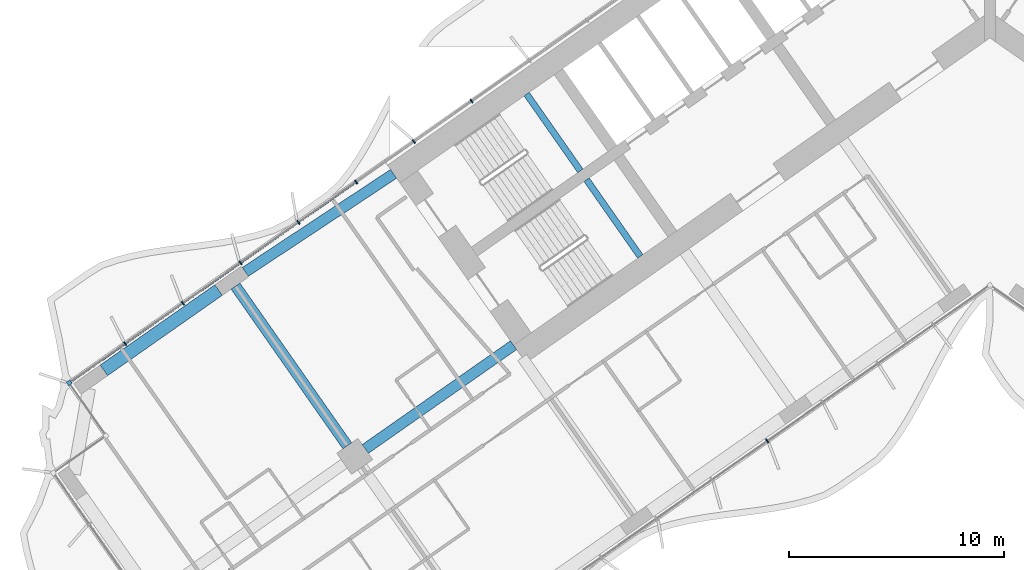
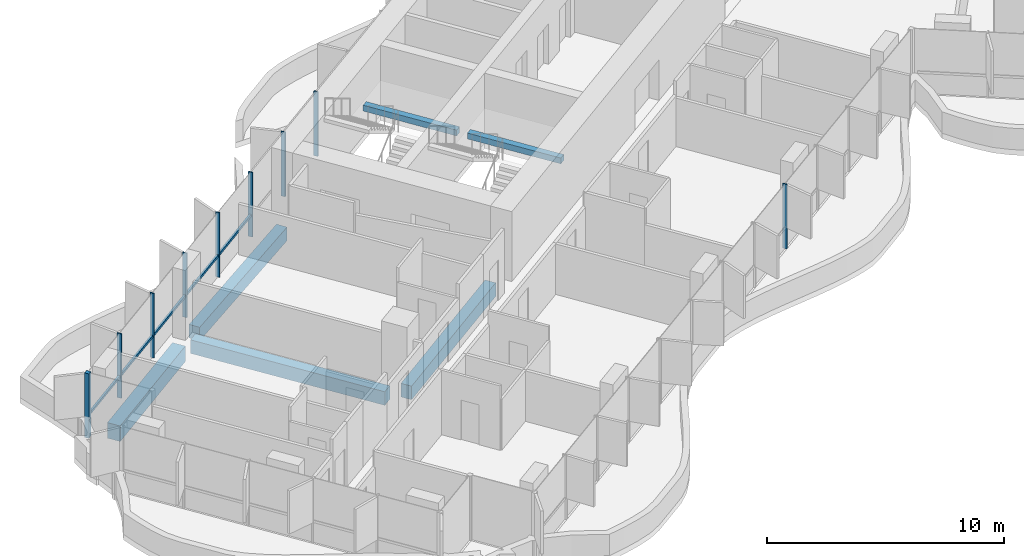
# One storey, part 4 of 25: 10 members, 6 beams, 2 elements without a shape of their own.
"""IFC4 building model written with IfcOpenShell, lengths in metres."""

from ifc_helpers import new_model, si_unit, direction, frame, origin, origin_2d, place, context, subcontext, project, spatial, rectangle, extrude, material, material_profile, profile_set, type_object, element, aggregate, save


model = new_model("IFC4")

# Units and contexts
model_context = context("Model", 3, precision=1e-05, world=origin(), true_north=direction((0.0, 1.0)))
body_context = subcontext(model_context, "Body", "Model", "MODEL_VIEW")
ifc_project = project(units=[si_unit("LENGTHUNIT", "METRE"), si_unit("AREAUNIT", "SQUARE_METRE"), si_unit("VOLUMEUNIT", "CUBIC_METRE"), si_unit("PLANEANGLEUNIT", "RADIAN"), si_unit("MASSUNIT", "GRAM", prefix="KILO")], contexts=[model_context])

# Site, building, storey
site_placement = place(None, origin())
site = spatial("IfcSite", under=ifc_project, at=site_placement, CompositionType="ELEMENT")
building_placement = place(site_placement, origin())
building = spatial("IfcBuilding", under=site, at=building_placement, Name="Tel Ilan Convention Tower", CompositionType="ELEMENT")
storey_placement = place(building_placement, frame((0.0, 0.0, 76.10009765625)))
storey = spatial("IfcBuildingStorey", under=building, at=storey_placement, Name="L14", CompositionType="ELEMENT", Elevation=76.10009765625)

# Beams
ifc_material_1 = material(Name="Concrete C40/50", Category="concrete")
ifc_material_profile_1 = material_profile(ifc_material_1, rectangle(XDim=0.5, YDim=0.699951171875, at=origin_2d()), Name="RC 500x700")
ifc_profile_set_1 = profile_set([ifc_material_profile_1], Name="Concrete C40/50")
beam_type_1 = type_object("IfcBeamType", Name="Beam RC 500x700 Concrete C40/50", PredefinedType="BEAM", material=ifc_profile_set_1)
beam_1_placement = place(storey_placement, frame((-34.570556640625, -12.08447265625, -0.630126953125), z_axis=(0.834273603487, 0.551350663847, 0.0), x_axis=(-0.551350663847, 0.834273603487, 0.0)))
element("IfcBeam", 1, at=beam_1_placement, inside=storey, type_object=beam_type_1, Name="L14 beam W-W-B4-core", PredefinedType="BEAM", context=body_context, shape_type="SweptSolid", body=[
    extrude(rectangle(XDim=0.5, YDim=0.699951171875, at=origin_2d()), origin(), (0.0, 0.0, 1.0), 8.2529296875),
])
beam_2_placement = place(storey_placement, frame((-22.1171875, -15.486572265625, -0.630126953125), z_axis=(-0.819147254605, -0.573583276668, 0.0), x_axis=(0.573583276668, -0.819147254605, 0.0)))
element("IfcBeam", 2, at=beam_2_placement, inside=storey, type_object=beam_type_1, Name="L14 beam W-core-W-M4", PredefinedType="BEAM", context=body_context, shape_type="SweptSolid", body=[
    extrude(rectangle(XDim=0.5, YDim=0.699951171875, at=origin_2d()), origin(), (0.0, 0.0, 1.0), 8.400146484375),
])
beam_3_placement = place(storey_placement, frame((-29.83349609375, -20.1572265625, -0.630126953125), z_axis=(-0.57358002233, 0.819149533348, 0.0), x_axis=(-0.819149533348, -0.57358002233, 0.0)))
element("IfcBeam", 3, at=beam_3_placement, inside=storey, type_object=beam_type_1, Name="L14 beam W-W-M4-W-B4", PredefinedType="BEAM", context=body_context, shape_type="SweptSolid", body=[
    extrude(rectangle(XDim=0.5, YDim=0.699951171875, at=origin_2d()), origin(), (0.0, 0.0, 1.0), 9.050048828125),
])
ifc_material_2 = material(Name="Concrete C40/50", Category="concrete")
ifc_material_profile_2 = material_profile(ifc_material_2, rectangle(XDim=0.60009765625, YDim=0.800048828125, at=origin_2d()), Name="RC 600x800")
ifc_profile_set_2 = profile_set([ifc_material_profile_2], Name="Concrete C40/50")
beam_type_2 = type_object("IfcBeamType", Name="Beam RC 600x800 Concrete C40/50", PredefinedType="BEAM", material=ifc_profile_set_2)
beam_4_placement = place(storey_placement, frame((-41.135498046875, -16.656494140625, -0.68017578125), z_axis=(0.819178980414, 0.573537965655, 0.0), x_axis=(-0.573537965655, 0.819178980414, 0.0)))
element("IfcBeam", 4, at=beam_4_placement, inside=storey, type_object=beam_type_2, Name="L14 beam W-W-BC-W-B4", PredefinedType="BEAM", context=body_context, shape_type="SweptSolid", body=[
    extrude(rectangle(XDim=0.60009765625, YDim=0.800048828125, at=origin_2d()), origin(), (0.0, 0.0, 1.0), 6.5),
])

# Curtain wall, member
ifc_material_3 = material(Name="Aluminium, bronze anodised", Category="aluminium")
curtain_wall_type_1 = type_object("IfcCurtainWallType", Name="CW1 UNITISED CURTAIN WALL, HOTEL TINTED GLASS", PredefinedType="NOTDEFINED", material=ifc_material_3)
curtain_wall_1_placement = place(storey_placement, origin())
curtain_wall_1 = element("IfcCurtainWall", 5, at=curtain_wall_1_placement, inside=storey, type_object=curtain_wall_type_1, Name="Curtain wall CW1-14.06", PredefinedType="NOTDEFINED")
ifc_material_4 = material(Name="Aluminium, bronze anodised", Category="aluminium")
ifc_material_profile_3 = material_profile(ifc_material_4, rectangle(XDim=0.199951171875, YDim=0.199951171875, at=origin_2d()), Name="CW CORNER MULLION 200x200")
ifc_profile_set_3 = profile_set([ifc_material_profile_3], Name="Aluminium, bronze anodised")
member_type_1 = type_object("IfcMemberType", Name="CW CORNER MULLION 200x200", PredefinedType="MULLION", material=ifc_profile_set_3)
member_1_placement = place(storey_placement, frame((-42.7451171875, -17.234375, 0.0), z_axis=(0.0, 0.0, 1.0), x_axis=(-0.819152044289, -0.573576436351, 0.0)))
member_1 = element("IfcMember", 6, at=member_1_placement, type_object=member_type_1, Name="Corner mullion", PredefinedType="MULLION", context=body_context, shape_type="SweptSolid", body=[
    extrude(rectangle(XDim=0.199951171875, YDim=0.199951171875, at=origin_2d()), origin(), (0.0, 0.0, 1.0), 3.31982421875),
])

# Curtain wall, members
ifc_material_5 = material(Name="Aluminium, bronze anodised", Category="aluminium")
curtain_wall_type_2 = type_object("IfcCurtainWallType", Name="CW2 STICK CURTAIN WALL, SPANDREL PANELS", PredefinedType="NOTDEFINED", material=ifc_material_5)
curtain_wall_2_placement = place(storey_placement, origin())
curtain_wall_2 = element("IfcCurtainWall", 7, at=curtain_wall_2_placement, inside=storey, type_object=curtain_wall_type_2, Name="Curtain wall CW2-14.05", PredefinedType="NOTDEFINED")
ifc_material_6 = material(Name="Aluminium, bronze anodised", Category="aluminium")
ifc_material_profile_4 = material_profile(ifc_material_6, rectangle(XDim=0.06005859375, YDim=0.199951171875, at=origin_2d()), Name="CW MULLION 60x200")
ifc_profile_set_4 = profile_set([ifc_material_profile_4], Name="Aluminium, bronze anodised")
member_type_2 = type_object("IfcMemberType", Name="CW MULLION 60x200", PredefinedType="MULLION", material=ifc_profile_set_4)
member_2_placement = place(storey_placement, frame((-24.065185546875, -4.154541015625, 0.0), z_axis=(0.0, 0.0, 1.0), x_axis=(-0.819152044289, -0.573576436351, 0.0)))
member_2 = element("IfcMember", 8, at=member_2_placement, type_object=member_type_2, Name="Mullion", PredefinedType="MULLION", context=body_context, shape_type="SweptSolid", body=[
    extrude(rectangle(XDim=0.06005859375, YDim=0.199951171875, at=origin_2d()), origin(), (0.0, 0.0, 1.0), 3.31982421875),
])
member_3_placement = place(storey_placement, frame((-26.745361328125, -6.03125, 0.0), z_axis=(0.0, 0.0, 1.0), x_axis=(-0.819152044289, -0.573576436351, 0.0)))
member_3 = element("IfcMember", 9, at=member_3_placement, type_object=member_type_2, Name="Mullion", PredefinedType="MULLION", context=body_context, shape_type="SweptSolid", body=[
    extrude(rectangle(XDim=0.06005859375, YDim=0.199951171875, at=origin_2d()), origin(), (0.0, 0.0, 1.0), 3.31982421875),
])
member_4_placement = place(storey_placement, frame((-29.42578125, -7.907958984375, 0.0), z_axis=(0.0, 0.0, 1.0), x_axis=(-0.819152044289, -0.573576436351, 0.0)))
member_4 = element("IfcMember", 10, at=member_4_placement, type_object=member_type_2, Name="Mullion", PredefinedType="MULLION", context=body_context, shape_type="SweptSolid", body=[
    extrude(rectangle(XDim=0.06005859375, YDim=0.199951171875, at=origin_2d()), origin(), (0.0, 0.0, 1.0), 3.31982421875),
])
aggregate(curtain_wall_2, [member_2, member_3, member_4])

# Member
member_5_placement = place(storey_placement, frame((-32.10595703125, -9.78466796875, 0.0), z_axis=(0.0, 0.0, 1.0), x_axis=(-0.819152044289, -0.573576436351, 0.0)))
member_5 = element("IfcMember", 11, at=member_5_placement, type_object=member_type_2, Name="Mullion", PredefinedType="MULLION", context=body_context, shape_type="SweptSolid", body=[
    extrude(rectangle(XDim=0.06005859375, YDim=0.199951171875, at=origin_2d()), origin(), (0.0, 0.0, 1.0), 3.31982421875),
])

member_6_placement = place(storey_placement, frame((-34.7861328125, -11.66162109375, 0.0), z_axis=(0.0, 0.0, 1.0), x_axis=(-0.819152044289, -0.573576436351, 0.0)))
member_6 = element("IfcMember", 12, at=member_6_placement, type_object=member_type_2, Name="Mullion", PredefinedType="MULLION", context=body_context, shape_type="SweptSolid", body=[
    extrude(rectangle(XDim=0.06005859375, YDim=0.199951171875, at=origin_2d()), origin(), (0.0, 0.0, 1.0), 3.31982421875),
])

member_7_placement = place(storey_placement, frame((-37.466552734375, -13.538330078125, 0.0), z_axis=(0.0, 0.0, 1.0), x_axis=(-0.819152044289, -0.573576436351, 0.0)))
member_7 = element("IfcMember", 13, at=member_7_placement, type_object=member_type_2, Name="Mullion", PredefinedType="MULLION", context=body_context, shape_type="SweptSolid", body=[
    extrude(rectangle(XDim=0.06005859375, YDim=0.199951171875, at=origin_2d()), origin(), (0.0, 0.0, 1.0), 3.31982421875),
])

member_8_placement = place(storey_placement, frame((-40.146728515625, -15.4150390625, 0.0), z_axis=(0.0, 0.0, 1.0), x_axis=(-0.819152044289, -0.573576436351, 0.0)))
member_8 = element("IfcMember", 14, at=member_8_placement, type_object=member_type_2, Name="Mullion", PredefinedType="MULLION", context=body_context, shape_type="SweptSolid", body=[
    extrude(rectangle(XDim=0.06005859375, YDim=0.199951171875, at=origin_2d()), origin(), (0.0, 0.0, 1.0), 3.31982421875),
])

member_9_placement = place(storey_placement, frame((-10.337158203125, -19.93408203125, 0.0), z_axis=(0.0, 0.0, 1.0), x_axis=(0.819152044289, 0.573576436351, 0.0)))
member_9 = element("IfcMember", 15, at=member_9_placement, type_object=member_type_2, Name="Mullion", PredefinedType="MULLION", context=body_context, shape_type="SweptSolid", body=[
    extrude(rectangle(XDim=0.06005859375, YDim=0.199951171875, at=origin_2d()), origin(), (0.0, 0.0, 1.0), 3.31982421875),
])

ifc_material_7 = material(Name="Aluminium, bronze anodised", Category="aluminium")
ifc_material_profile_5 = material_profile(ifc_material_7, rectangle(XDim=0.10009765625, YDim=0.1201171875, at=origin_2d()), Name="CW TRANSOM 100x120")
ifc_profile_set_5 = profile_set([ifc_material_profile_5], Name="Aluminium, bronze anodised")
member_type_3 = type_object("IfcMemberType", Name="CW TRANSOM 100x120", PredefinedType="USERDEFINED", material=ifc_profile_set_5)
member_10_placement = place(storey_placement, frame((-29.4501953125, -7.92529296875, 1.099853515625), z_axis=(-0.819153693934, -0.573574080407, 0.0), x_axis=(0.573574080407, -0.819153693934, 0.0)))
member_10 = element("IfcMember", 16, at=member_10_placement, type_object=member_type_3, Name="Transom", ObjectType="TRANSOM", PredefinedType="USERDEFINED", context=body_context, shape_type="SweptSolid", body=[
    extrude(rectangle(XDim=0.10009765625, YDim=0.1201171875, at=origin_2d()), origin(), (0.0, 0.0, 1.0), 16.1298828125),
])

aggregate(curtain_wall_1, [member_5, member_6, member_7, member_8, member_1, member_10, member_9])

# Beams
ifc_material_8 = material(Name="Concrete C40/50", Category="concrete")
ifc_material_profile_6 = material_profile(ifc_material_8, rectangle(XDim=0.300048828125, YDim=0.300048828125, at=origin_2d()), Name="RC 300x300")
ifc_profile_set_6 = profile_set([ifc_material_profile_6], Name="Concrete C40/50")
beam_type_3 = type_object("IfcBeamType", Name="Landing Beam RC 300x300 Concrete C40/50", PredefinedType="BEAM", material=ifc_profile_set_6)
beam_5_placement = place(storey_placement, frame((-19.013671875, -7.392822265625, 1.449951171875), z_axis=(-0.57356780395, 0.819158088694, 0.0), x_axis=(-0.819158088694, -0.57356780395, 0.0)))
element("IfcBeam", 17, at=beam_5_placement, inside=storey, type_object=beam_type_3, Name="S1 landing beam L14.1", PredefinedType="BEAM", context=body_context, shape_type="SweptSolid", body=[
    extrude(rectangle(XDim=0.300048828125, YDim=0.300048828125, at=origin_2d()), origin(), (0.0, 0.0, 1.0), 4.35009765625),
])
beam_6_placement = place(storey_placement, frame((-16.231689453125, -11.365478515625, 1.449951171875), z_axis=(-0.573594173421, 0.819139624372, 0.0), x_axis=(-0.819139624372, -0.573594173421, 0.0)))
element("IfcBeam", 18, at=beam_6_placement, inside=storey, type_object=beam_type_3, Name="S2 landing beam L14.1", PredefinedType="BEAM", context=body_context, shape_type="SweptSolid", body=[
    extrude(rectangle(XDim=0.300048828125, YDim=0.300048828125, at=origin_2d()), origin(), (0.0, 0.0, 1.0), 4.349853515625),
])

save(model, "model.ifc")
